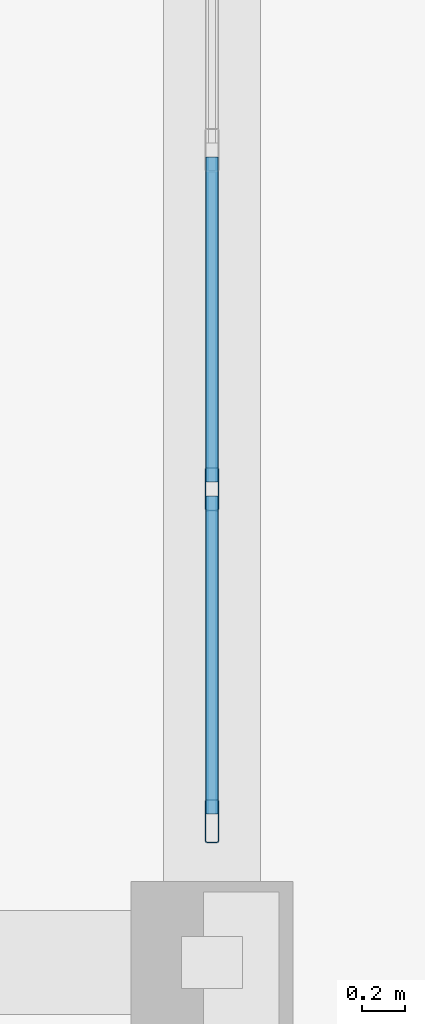
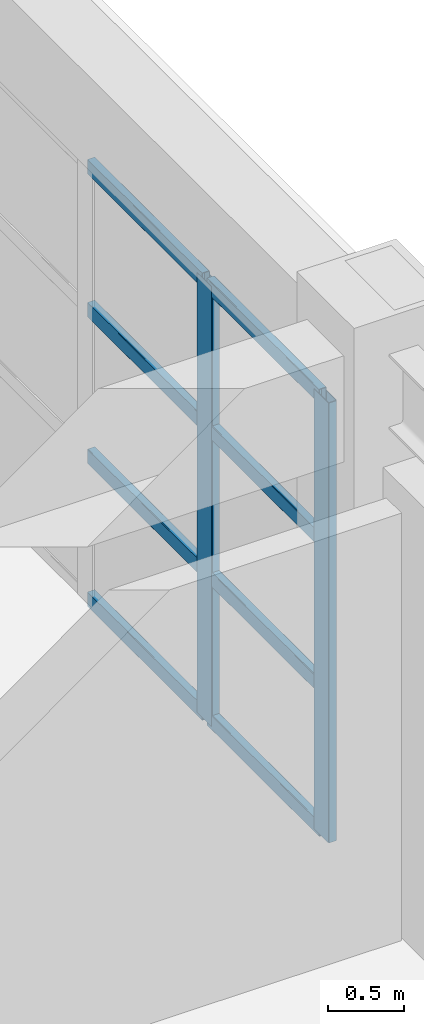
# One storey, part 65 of 122: 10 members, 1 element without a shape of its own.
"""IFC4 building model written with IfcOpenShell, lengths in metres."""

from ifc_helpers import new_model, si_unit, direction, frame, origin, origin_2d, place, context, subcontext, project, spatial, hollow_rectangle, extrude, material, material_profile, profile_set, type_object, element, aggregate, save


model = new_model("IFC4")

# Units and contexts
model_context = context("Model", 3, precision=1e-05, world=origin(), true_north=direction((0.0, 1.0)))
body_context = subcontext(model_context, "Body", "Model", "MODEL_VIEW")
ifc_project = project(units=[si_unit("LENGTHUNIT", "METRE"), si_unit("AREAUNIT", "SQUARE_METRE"), si_unit("VOLUMEUNIT", "CUBIC_METRE"), si_unit("PLANEANGLEUNIT", "RADIAN"), si_unit("MASSUNIT", "GRAM", prefix="KILO")], contexts=[model_context])

# Site, building, storey
site_placement = place(None, origin())
site = spatial("IfcSite", under=ifc_project, at=site_placement, CompositionType="ELEMENT")
building_placement = place(site_placement, origin())
building = spatial("IfcBuilding", under=site, at=building_placement, Name="Qasida Concert Hall", CompositionType="ELEMENT")
storey_placement = place(building_placement, origin())
storey = spatial("IfcBuildingStorey", under=building, at=storey_placement, Name="L00", CompositionType="ELEMENT", Elevation=0.0)

# Curtain wall, members
ifc_material_1 = material(Name="Architectural bronze-anodized aluminium and low-E glass", Category="aluminium")
curtain_wall_type = type_object("IfcCurtainWallType", Name="CW-11", PredefinedType="NOTDEFINED", material=ifc_material_1)
curtain_wall_placement = place(storey_placement, origin())
curtain_wall = element("IfcCurtainWall", 1, at=curtain_wall_placement, inside=storey, type_object=curtain_wall_type, Name="L00 curtain wall CW-11 0157", PredefinedType="NOTDEFINED")
ifc_material_2 = material(Name="Architectural bronze-anodized aluminium EN AW-6063", Category="aluminium")
ifc_material_profile_1 = material_profile(ifc_material_2, hollow_rectangle(XDim=0.06494140625, YDim=0.199951171875, WallThickness=0.0048828125, InnerFilletRadius=0.0048828125, OuterFilletRadius=0.010009765625, at=origin_2d()), Name="CWM 200x65x5")
ifc_profile_set_1 = profile_set([ifc_material_profile_1], Name="Architectural bronze-anodized aluminium EN AW-6063")
member_type_1 = type_object("IfcMemberType", Name="MB-CWM-2", PredefinedType="MULLION", material=ifc_profile_set_1)
member_1_placement = place(storey_placement, frame((165.0, 90.652587890625, 0.0), z_axis=(0.0, 0.0, 1.0), x_axis=(-1.0, 0.0, 0.0)))
member_1 = element("IfcMember", 2, at=member_1_placement, type_object=member_type_1, Name="CW-11 mullion 1", PredefinedType="MULLION", context=body_context, shape_type="SweptSolid", body=[
    extrude(hollow_rectangle(XDim=0.06494140625, YDim=0.199951171875, WallThickness=0.0048828125, InnerFilletRadius=0.0048828125, OuterFilletRadius=0.010009765625, at=origin_2d()), origin(), (0.0, 0.0, 1.0), 3.52001953125),
])
member_2_placement = place(storey_placement, frame((165.0, 92.18505859375, 0.0), z_axis=(0.0, 0.0, 1.0), x_axis=(-1.0, 0.0, 0.0)))
member_2 = element("IfcMember", 3, at=member_2_placement, type_object=member_type_1, Name="CW-11 mullion 2", PredefinedType="MULLION", context=body_context, shape_type="SweptSolid", body=[
    extrude(hollow_rectangle(XDim=0.06494140625, YDim=0.199951171875, WallThickness=0.0048828125, InnerFilletRadius=0.0048828125, OuterFilletRadius=0.010009765625, at=origin_2d()), origin(), (0.0, 0.0, 1.0), 3.52001953125),
])
ifc_material_profile_2 = material_profile(ifc_material_2, hollow_rectangle(XDim=0.06005859375, YDim=0.1201171875, WallThickness=0.00390625, InnerFilletRadius=0.00390625, OuterFilletRadius=0.008056640625, at=origin_2d()), Name="CWT 120x60x4")
ifc_profile_set_2 = profile_set([ifc_material_profile_2], Name="Architectural bronze-anodized aluminium EN AW-6063")
member_type_2 = type_object("IfcMemberType", Name="MB-CWT-2", PredefinedType="USERDEFINED", material=ifc_profile_set_2)
member_3_placement = place(storey_placement, frame((165.0, 90.68505859375, 0.030029296875), z_axis=(0.0, 1.0, 0.0), x_axis=(-1.0, 0.0, 0.0)))
member_3 = element("IfcMember", 4, at=member_3_placement, type_object=member_type_2, Name="CW-11 transom 1.1", ObjectType="TRANSOM", PredefinedType="USERDEFINED", context=body_context, shape_type="SweptSolid", body=[
    extrude(hollow_rectangle(XDim=0.06005859375, YDim=0.1201171875, WallThickness=0.00390625, InnerFilletRadius=0.00390625, OuterFilletRadius=0.008056640625, at=origin_2d()), origin(), (0.0, 0.0, 1.0), 1.467529296875),
])
member_4_placement = place(storey_placement, frame((165.0, 90.68505859375, 1.17333984375), z_axis=(0.0, 1.0, 0.0), x_axis=(-1.0, 0.0, 0.0)))
member_4 = element("IfcMember", 5, at=member_4_placement, type_object=member_type_2, Name="CW-11 transom 1.2", ObjectType="TRANSOM", PredefinedType="USERDEFINED", context=body_context, shape_type="SweptSolid", body=[
    extrude(hollow_rectangle(XDim=0.06005859375, YDim=0.1201171875, WallThickness=0.00390625, InnerFilletRadius=0.00390625, OuterFilletRadius=0.008056640625, at=origin_2d()), origin(), (0.0, 0.0, 1.0), 1.467529296875),
])
member_5_placement = place(storey_placement, frame((165.0, 90.68505859375, 2.3466796875), z_axis=(0.0, 1.0, 0.0), x_axis=(-1.0, 0.0, 0.0)))
member_5 = element("IfcMember", 6, at=member_5_placement, type_object=member_type_2, Name="CW-11 transom 1.3", ObjectType="TRANSOM", PredefinedType="USERDEFINED", context=body_context, shape_type="SweptSolid", body=[
    extrude(hollow_rectangle(XDim=0.06005859375, YDim=0.1201171875, WallThickness=0.00390625, InnerFilletRadius=0.00390625, OuterFilletRadius=0.008056640625, at=origin_2d()), origin(), (0.0, 0.0, 1.0), 1.467529296875),
])
member_6_placement = place(storey_placement, frame((165.0, 90.68505859375, 3.489990234375), z_axis=(0.0, 1.0, 0.0), x_axis=(-1.0, 0.0, 0.0)))
member_6 = element("IfcMember", 7, at=member_6_placement, type_object=member_type_2, Name="CW-11 transom 1.4", ObjectType="TRANSOM", PredefinedType="USERDEFINED", context=body_context, shape_type="SweptSolid", body=[
    extrude(hollow_rectangle(XDim=0.06005859375, YDim=0.1201171875, WallThickness=0.00390625, InnerFilletRadius=0.00390625, OuterFilletRadius=0.008056640625, at=origin_2d()), origin(), (0.0, 0.0, 1.0), 1.467529296875),
])
member_7_placement = place(storey_placement, frame((165.0, 92.217529296875, 0.030029296875), z_axis=(0.0, 1.0, 0.0), x_axis=(-1.0, 0.0, 0.0)))
member_7 = element("IfcMember", 8, at=member_7_placement, type_object=member_type_2, Name="CW-11 transom 2.1", ObjectType="TRANSOM", PredefinedType="USERDEFINED", context=body_context, shape_type="SweptSolid", body=[
    extrude(hollow_rectangle(XDim=0.06005859375, YDim=0.1201171875, WallThickness=0.00390625, InnerFilletRadius=0.00390625, OuterFilletRadius=0.008056640625, at=origin_2d()), origin(), (0.0, 0.0, 1.0), 1.5),
])
member_8_placement = place(storey_placement, frame((165.0, 92.217529296875, 1.17333984375), z_axis=(0.0, 1.0, 0.0), x_axis=(-1.0, 0.0, 0.0)))
member_8 = element("IfcMember", 9, at=member_8_placement, type_object=member_type_2, Name="CW-11 transom 2.2", ObjectType="TRANSOM", PredefinedType="USERDEFINED", context=body_context, shape_type="SweptSolid", body=[
    extrude(hollow_rectangle(XDim=0.06005859375, YDim=0.1201171875, WallThickness=0.00390625, InnerFilletRadius=0.00390625, OuterFilletRadius=0.008056640625, at=origin_2d()), origin(), (0.0, 0.0, 1.0), 1.5),
])
member_9_placement = place(storey_placement, frame((165.0, 92.217529296875, 2.3466796875), z_axis=(0.0, 1.0, 0.0), x_axis=(-1.0, 0.0, 0.0)))
member_9 = element("IfcMember", 10, at=member_9_placement, type_object=member_type_2, Name="CW-11 transom 2.3", ObjectType="TRANSOM", PredefinedType="USERDEFINED", context=body_context, shape_type="SweptSolid", body=[
    extrude(hollow_rectangle(XDim=0.06005859375, YDim=0.1201171875, WallThickness=0.00390625, InnerFilletRadius=0.00390625, OuterFilletRadius=0.008056640625, at=origin_2d()), origin(), (0.0, 0.0, 1.0), 1.5),
])
member_10_placement = place(storey_placement, frame((165.0, 92.217529296875, 3.489990234375), z_axis=(0.0, 1.0, 0.0), x_axis=(-1.0, 0.0, 0.0)))
member_10 = element("IfcMember", 11, at=member_10_placement, type_object=member_type_2, Name="CW-11 transom 2.4", ObjectType="TRANSOM", PredefinedType="USERDEFINED", context=body_context, shape_type="SweptSolid", body=[
    extrude(hollow_rectangle(XDim=0.06005859375, YDim=0.1201171875, WallThickness=0.00390625, InnerFilletRadius=0.00390625, OuterFilletRadius=0.008056640625, at=origin_2d()), origin(), (0.0, 0.0, 1.0), 1.5),
])
aggregate(curtain_wall, [member_1, member_2, member_3, member_4, member_5, member_6, member_7, member_8, member_9, member_10])

save(model, "model.ifc")
